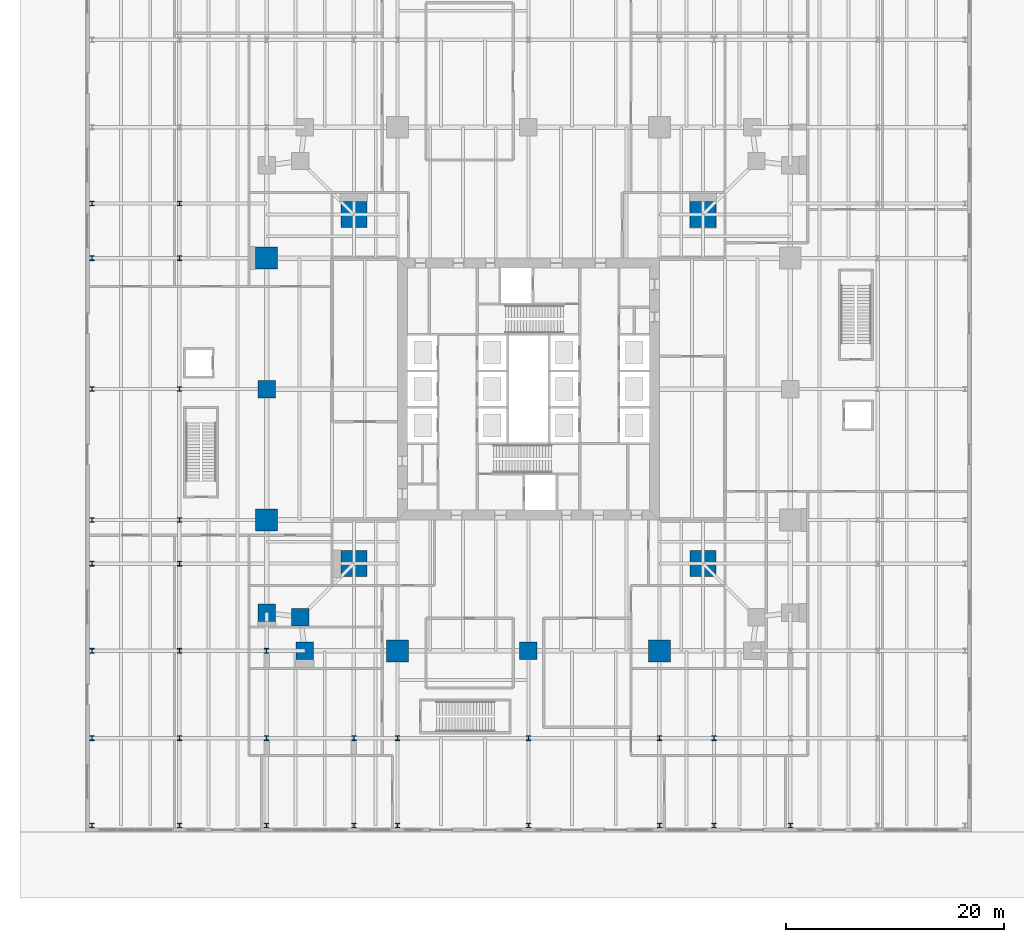
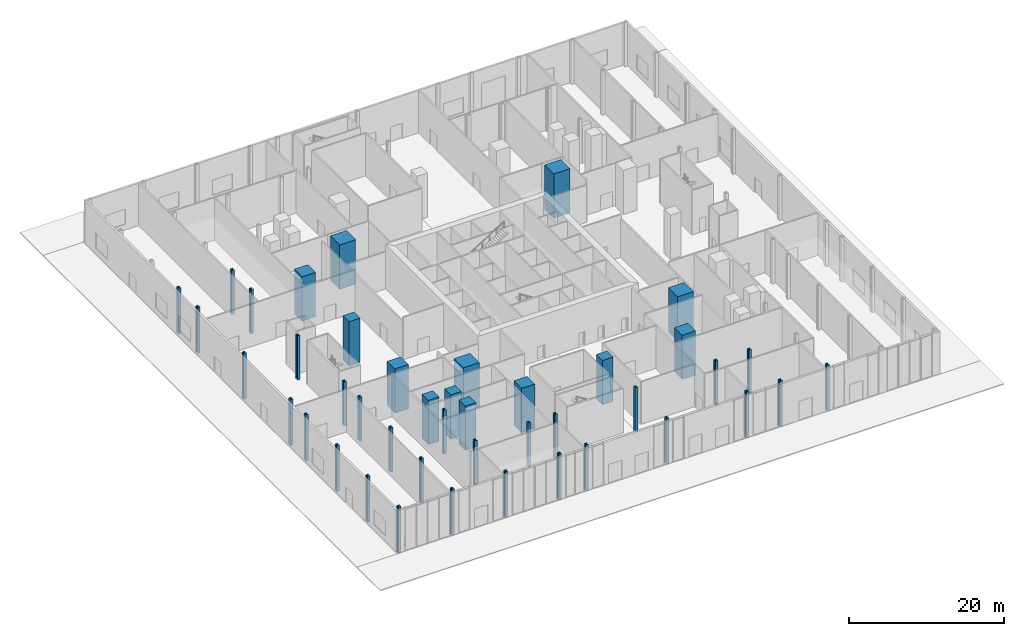
# One storey, part 1 of 20: 43 columns.
"""IFC4 building model written with IfcOpenShell, lengths in metres."""

import ifcopenshell
import ifcopenshell.guid

model = None  # the IFC model being written
_history = None  # IfcOwnerHistory: only IFC2X3 demands one
_inside = {}  # id of a spatial element -> (the spatial element, [elements in it])
_under = {}  # id of a project, library or spatial element -> (it, [spatial elements below it])
_declared = {}  # id of a project -> (the project, [libraries it declares])
_typed = {}  # id of a type object -> (the type object, [elements of that type])
_made_of = {}  # id of a material, layer set ... -> (it, [elements and type objects made of it])


def new_model(schema):
    """Start an empty IFC model of exactly this schema.

    Asked for "IFC4X3", IfcOpenShell would pick the latest addendum, in which some entities
    have other attributes; the version numbers below select the first issue.
    IFC2X3 requires an IfcOwnerHistory on every rooted entity: one is made here for all.
    """
    global model, _history
    if schema == "IFC4X3":
        model = ifcopenshell.file(schema_version=(4, 3, 0, 0))
    else:
        model = ifcopenshell.file(schema=schema)
    _inside.clear()
    _under.clear()
    _declared.clear()
    _typed.clear()
    _made_of.clear()
    _history = None
    if model.schema == "IFC2X3":
        org = make("IfcOrganization", Name="unknown")
        user = make(
            "IfcPersonAndOrganization",
            ThePerson=make("IfcPerson", FamilyName="unknown"),
            TheOrganization=org,
        )
        app = make(
            "IfcApplication",
            ApplicationDeveloper=org,
            Version="unknown",
            ApplicationFullName="unknown",
            ApplicationIdentifier="unknown",
        )
        _history = make(
            "IfcOwnerHistory",
            OwningUser=user,
            OwningApplication=app,
            ChangeAction="ADDED",
            CreationDate=0,
        )
    return model


def make(cls, **values):
    """One entity of the class cls with the attributes given. An attribute that is None is left unset."""
    return model.create_entity(
        cls, **{name: value for name, value in values.items() if value is not None}
    )


def rooted(cls, **values):
    """An entity with a GlobalId (a new one), such as an element, a storey or a relation."""
    return make(cls, GlobalId=ifcopenshell.guid.new(), OwnerHistory=_history, **values)


def si_unit(unit_type, name, prefix=None):
    """IfcSIUnit, for example si_unit("LENGTHUNIT", "METRE", prefix="MILLI")."""
    return make("IfcSIUnit", UnitType=unit_type, Prefix=prefix, Name=name)


def assignment(units):
    """IfcUnitAssignment: the units of a project."""
    return None if units is None else make("IfcUnitAssignment", Units=units)


def point(xyz):
    """IfcCartesianPoint."""
    return None if xyz is None else make("IfcCartesianPoint", Coordinates=xyz)


def direction(xyz):
    """IfcDirection."""
    return None if xyz is None else make("IfcDirection", DirectionRatios=xyz)


def frame(location, z_axis=None, x_axis=None):
    """IfcAxis2Placement3D, a coordinate frame: its origin and axes. An axis left out is left unset."""
    return make(
        "IfcAxis2Placement3D",
        Location=point(location),
        Axis=direction(z_axis),
        RefDirection=direction(x_axis),
    )


def frame_2d(location, x_axis=None):
    """IfcAxis2Placement2D, a coordinate frame in the plane: its origin and x axis."""
    return make(
        "IfcAxis2Placement2D", Location=point(location), RefDirection=direction(x_axis)
    )


def origin():
    """The frame at (0, 0, 0) with its axes left unset."""
    return frame((0.0, 0.0, 0.0))


def origin_2d():
    """The frame at (0, 0) in the plane with its x axis left unset."""
    return frame_2d((0.0, 0.0))


def place(relative_to, where):
    """IfcLocalPlacement: puts the frame where relative to a parent placement (None: the world)."""
    return make(
        "IfcLocalPlacement", PlacementRelTo=relative_to, RelativePlacement=where
    )


def context(
    kind, dimensions, precision=None, world=None, true_north=None, identifier=None
):
    """IfcGeometricRepresentationContext, for example the 3D "Model" context."""
    return make(
        "IfcGeometricRepresentationContext",
        ContextIdentifier=identifier,
        ContextType=kind,
        CoordinateSpaceDimension=dimensions,
        Precision=precision,
        WorldCoordinateSystem=world,
        TrueNorth=true_north,
    )


def subcontext(parent, identifier, kind, view, scale=None):
    """IfcGeometricRepresentationSubContext, for example "Body" below "Model"."""
    return make(
        "IfcGeometricRepresentationSubContext",
        ContextIdentifier=identifier,
        ContextType=kind,
        ParentContext=parent,
        TargetScale=scale,
        TargetView=view,
    )


def project(units=None, contexts=None):
    """IfcProject with its units and contexts."""
    return rooted(
        "IfcProject",
        Name="project",
        RepresentationContexts=contexts,
        UnitsInContext=assignment(units),
    )


def spatial(cls, under=None, at=None, **own):
    """A site, building, storey or space (cls), placed at a placement, below another one or the project."""
    s = rooted(cls, ObjectPlacement=at, **own)
    if under is not None:
        _under.setdefault(under.id(), (under, []))[1].append(s)
    return s


def profile(cls, at=None, kind="AREA", **sizes):
    """A parametric profile (cls). Its sizes go by their IFC names, for example OverallWidth=200.0."""
    return make(cls, ProfileType=kind, Position=at, **sizes)


def rectangle(**sizes):
    """IfcRectangleProfileDef."""
    return profile("IfcRectangleProfileDef", **sizes)


def i_section(**sizes):
    """IfcIShapeProfileDef."""
    return profile("IfcIShapeProfileDef", **sizes)


def extrude(swept, where, along, depth):
    """IfcExtrudedAreaSolid: the profile swept, set in the frame where, extruded along a direction by depth."""
    return make(
        "IfcExtrudedAreaSolid",
        SweptArea=swept,
        Position=where,
        ExtrudedDirection=direction(along),
        Depth=depth,
    )


def shape(context_of_items, identifier, shape_type, items):
    """IfcShapeRepresentation: the items that make up one representation, for example the "Body"."""
    return make(
        "IfcShapeRepresentation",
        ContextOfItems=context_of_items,
        RepresentationIdentifier=identifier,
        RepresentationType=shape_type,
        Items=items,
    )


def material(Name=None, Category=None):
    """IfcMaterial."""
    return make("IfcMaterial", Name=Name, Category=Category)


def material_profile(
    of_material, cross_section, Name=None, Category=None, Priority=None
):
    """IfcMaterialProfile: a cross section and its material."""
    return make(
        "IfcMaterialProfile",
        Name=Name,
        Material=of_material,
        Profile=cross_section,
        Priority=Priority,
        Category=Category,
    )


def profile_set(profiles, Name=None, composite=None):
    """IfcMaterialProfileSet."""
    return make(
        "IfcMaterialProfileSet",
        Name=Name,
        MaterialProfiles=profiles,
        CompositeProfile=composite,
    )


def made_of(thing, what):
    """Note that an element or type object is made of a material, layer set ...; save() writes the relation."""
    if what is not None:
        _made_of.setdefault(what.id(), (what, []))[1].append(thing)
    return thing


def type_object(cls, material=None, **own):
    """A type object (cls), such as IfcWallType, which elements share."""
    return made_of(rooted(cls, **own), material)


def element(
    cls,
    number,
    at=None,
    inside=None,
    cuts=None,
    type_object=None,
    material=None,
    context=None,
    identifier="Body",
    shape_type=None,
    held_by="IfcProductDefinitionShape",
    body=None,
    shapes=None,
    **own,
):
    """One element of the class cls, such as IfcWall. Its Tag is "e" and its number.

    at: its placement. inside: the storey or other place that contains it. cuts: it is an
    opening in that element (IfcRelVoidsElement). A single representation is given by context,
    identifier, shape_type and body (its items); several are given by shapes. held_by: the class
    of the entity that holds the representations. save() writes the other relations.
    """
    e = rooted(cls, Tag="e%d" % number, ObjectPlacement=at, **own)
    if body is not None:
        shapes = [shape(context, identifier, shape_type, body)]
    if shapes is not None:
        e.Representation = make(held_by, Representations=shapes)
    if inside is not None:
        _inside.setdefault(inside.id(), (inside, []))[1].append(e)
    if cuts is not None:
        rooted(
            "IfcRelVoidsElement", RelatingBuildingElement=cuts, RelatedOpeningElement=e
        )
    if type_object is not None:
        _typed.setdefault(type_object.id(), (type_object, []))[1].append(e)
    return made_of(e, material)


def aggregate(whole, parts):
    """IfcRelAggregates: a whole, such as a stair, and the parts it consists of."""
    return rooted("IfcRelAggregates", RelatingObject=whole, RelatedObjects=parts)


def save(model, path):
    """Write the relations noted so far, then the file.

    IfcRelAggregates (storeys below a building ...), IfcRelContainedInSpatialStructure (elements
    in a storey), IfcRelDefinesByType, IfcRelAssociatesMaterial and IfcRelDeclares: one each for
    every whole, place, type object, material and project.
    """
    for whole, parts in _under.values():
        aggregate(whole, parts)
    for where, things in _inside.values():
        rooted(
            "IfcRelContainedInSpatialStructure",
            RelatedElements=things,
            RelatingStructure=where,
        )
    for kind, things in _typed.values():
        rooted("IfcRelDefinesByType", RelatedObjects=things, RelatingType=kind)
    for what, things in _made_of.values():
        rooted("IfcRelAssociatesMaterial", RelatedObjects=things, RelatingMaterial=what)
    for by, libraries in _declared.values():
        rooted("IfcRelDeclares", RelatingContext=by, RelatedDefinitions=libraries)
    model.write(path)


model = new_model("IFC4")

# Units and contexts
model_context = context("Model", 3, precision=1e-05, world=origin(), true_north=direction((0.0, 1.0)))
body_context = subcontext(model_context, "Body", "Model", "MODEL_VIEW")
ifc_project = project(units=[si_unit("LENGTHUNIT", "METRE"), si_unit("AREAUNIT", "SQUARE_METRE"), si_unit("VOLUMEUNIT", "CUBIC_METRE"), si_unit("PLANEANGLEUNIT", "RADIAN"), si_unit("MASSUNIT", "GRAM", prefix="KILO")], contexts=[model_context])

# Site, building, storey
site_placement = place(None, origin())
site = spatial("IfcSite", under=ifc_project, at=site_placement, CompositionType="ELEMENT")
building_placement = place(site_placement, origin())
building = spatial("IfcBuilding", under=site, at=building_placement, Name="Fenwick Lantern Interchange", CompositionType="ELEMENT")
storey_placement = place(building_placement, origin())
storey = spatial("IfcBuildingStorey", under=building, at=storey_placement, Name="L00", CompositionType="ELEMENT", Elevation=0.0)

# Columns
ifc_material_1 = material(Name="Concrete f'c 70 MPa", Category="concrete")
ifc_material_profile_1 = material_profile(ifc_material_1, rectangle(XDim=2.39990234375, YDim=2.39990234375, at=origin_2d()), Name="RC2400X2400")
ifc_profile_set_1 = profile_set([ifc_material_profile_1], Name="Concrete f'c 70 MPa")
column_type_1 = type_object("IfcColumnType", Name="MEGA COLUMN RC2400X2400", PredefinedType="COLUMN", material=ifc_profile_set_1)
for number, where, z_axis, x_axis, name in (
    (1, (9.0, 9.0, 0.0), (0.0, 0.0, 1.0), (1.0, 0.0, 0.0), "L00/M1"),
    (2, (41.0, 9.0, 0.0), (0.0, 0.0, 1.0), (1.0, 0.0, 0.0), "L00/M2"),
    (3, (41.0, 41.0, 0.0), (0.0, 0.0, 1.0), (1.0, 0.0, 0.0), "L00/M3"),
    (4, (9.0, 41.0, 0.0), (0.0, 0.0, 1.0), (1.0, 0.0, 0.0), "L00/M4"),
):
    element("IfcColumn", number, at=place(storey_placement, frame(where, z_axis=z_axis, x_axis=x_axis)), inside=storey, type_object=column_type_1, Name=name, PredefinedType="COLUMN", context=body_context, shape_type="SweptSolid", body=[
        extrude(rectangle(XDim=2.39990234375, YDim=2.39990234375, at=origin_2d()), origin(), (0.0, 0.0, 1.0), 7.0),
    ])
ifc_material_profile_2 = material_profile(ifc_material_1, rectangle(XDim=1.60009765625, YDim=1.60009765625, at=origin_2d()), Name="RC1600X1600")
ifc_profile_set_2 = profile_set([ifc_material_profile_2], Name="Concrete f'c 70 MPa")
column_type_2 = type_object("IfcColumnType", Name="PERIMETER COLUMN RC1600X1600", PredefinedType="COLUMN", material=ifc_profile_set_2)
for number, where, z_axis, x_axis, name in (
    (5, (4.5, 1.0, 0.0), (0.0, 0.0, 1.0), (1.0, 0.0, 0.0), "L00/CS1"),
    (6, (25.0, 1.0, 0.0), (0.0, 0.0, 1.0), (1.0, 0.0, 0.0), "L00/CS3"),
    (7, (1.0, 25.0, 0.0), (0.0, 0.0, 1.0), (1.0, 0.0, 0.0), "L00/CW3"),
    (8, (1.0, 4.5, 0.0), (0.0, 0.0, 1.0), (1.0, 0.0, 0.0), "L00/CW5"),
    (9, (4.10009765625, 4.10009765625, 0.0), (0.0, 0.0, 1.0), (1.0, 0.0, 0.0), "L00/CWR"),
):
    element("IfcColumn", number, at=place(storey_placement, frame(where, z_axis=z_axis, x_axis=x_axis)), inside=storey, type_object=column_type_2, Name=name, PredefinedType="COLUMN", context=body_context, shape_type="SweptSolid", body=[
        extrude(rectangle(XDim=1.60009765625, YDim=1.60009765625, at=origin_2d()), origin(), (0.0, 0.0, 1.0), 7.0),
    ])
ifc_material_profile_3 = material_profile(ifc_material_1, rectangle(XDim=2.0, YDim=2.0, at=origin_2d()), Name="RC2000X2000")
ifc_profile_set_3 = profile_set([ifc_material_profile_3], Name="Concrete f'c 70 MPa")
column_type_3 = type_object("IfcColumnType", Name="PERIMETER COLUMN RC2000X2000", PredefinedType="COLUMN", material=ifc_profile_set_3)
for number, where, z_axis, x_axis, name in (
    (10, (13.0, 1.0, 0.0), (0.0, 0.0, 1.0), (1.0, 0.0, 0.0), "L00/CS2"),
    (11, (37.0, 1.0, 0.0), (0.0, 0.0, 1.0), (1.0, 0.0, 0.0), "L00/CS4"),
    (12, (1.0, 37.0, 0.0), (0.0, 0.0, 1.0), (1.0, 0.0, 0.0), "L00/CW2"),
    (13, (1.0, 13.0, 0.0), (0.0, 0.0, 1.0), (1.0, 0.0, 0.0), "L00/CW4"),
):
    element("IfcColumn", number, at=place(storey_placement, frame(where, z_axis=z_axis, x_axis=x_axis)), inside=storey, type_object=column_type_3, Name=name, PredefinedType="COLUMN", context=body_context, shape_type="SweptSolid", body=[
        extrude(rectangle(XDim=2.0, YDim=2.0, at=origin_2d()), origin(), (0.0, 0.0, 1.0), 7.0),
    ])
ifc_material_2 = material(Name="Steel ASTM A992 Grade 50", Category="steel")
ifc_material_profile_4 = material_profile(ifc_material_2, i_section(OverallWidth=0.41650390625, OverallDepth=0.444580078125, WebThickness=0.0390625, FlangeThickness=0.062744140625, at=origin_2d()), Name="W14X342")
ifc_profile_set_4 = profile_set([ifc_material_profile_4], Name="Steel ASTM A992 Grade 50")
column_type_4 = type_object("IfcColumnType", Name="PODIUM COLUMN W14X342", PredefinedType="COLUMN", material=ifc_profile_set_4)
for number, where, z_axis, x_axis, name in (
    (14, (-15.0, -15.0, -0.300048828125), (0.0, 0.0, 1.0), (1.0, 0.0, 0.0), "L00/PA1"),
    (15, (-15.0, -7.0, -0.300048828125), (0.0, 0.0, 1.0), (1.0, 0.0, 0.0), "L00/PB1"),
    (16, (-15.0, 1.0, -0.300048828125), (0.0, 0.0, 1.0), (1.0, 0.0, 0.0), "L00/PC1"),
    (17, (-15.0, 9.0, -0.300048828125), (0.0, 0.0, 1.0), (1.0, 0.0, 0.0), "L00/PD1"),
    (18, (-15.0, 13.0, -0.300048828125), (0.0, 0.0, 1.0), (1.0, 0.0, 0.0), "L00/PE1"),
    (19, (-15.0, 25.0, -0.300048828125), (0.0, 0.0, 1.0), (1.0, 0.0, 0.0), "L00/PF1"),
    (20, (-15.0, 37.0, -0.300048828125), (0.0, 0.0, 1.0), (1.0, 0.0, 0.0), "L00/PG1"),
    (21, (-15.0, 42.0, -0.300048828125), (0.0, 0.0, 1.0), (1.0, 0.0, 0.0), "L00/PH1"),
    (22, (-7.0, -15.0, -0.300048828125), (0.0, 0.0, 1.0), (1.0, 0.0, 0.0), "L00/PA2"),
):
    element("IfcColumn", number, at=place(storey_placement, frame(where, z_axis=z_axis, x_axis=x_axis)), inside=storey, type_object=column_type_4, Name=name, PredefinedType="COLUMN", context=body_context, shape_type="SweptSolid", body=[
        extrude(i_section(OverallWidth=0.41650390625, OverallDepth=0.444580078125, WebThickness=0.0390625, FlangeThickness=0.062744140625, at=origin_2d()), origin(), (0.0, 0.0, 1.0), 7.300048828125),
    ])
for number, where, z_axis, x_axis, name in (
    (23, (-7.0, -7.0, 0.0), (0.0, 0.0, 1.0), (1.0, 0.0, 0.0), "L00/PB2"),
    (24, (-7.0, 1.0, 0.0), (0.0, 0.0, 1.0), (1.0, 0.0, 0.0), "L00/PC2"),
    (25, (-7.0, 9.0, 0.0), (0.0, 0.0, 1.0), (1.0, 0.0, 0.0), "L00/PD2"),
    (26, (-7.0, 13.0, 0.0), (0.0, 0.0, 1.0), (1.0, 0.0, 0.0), "L00/PE2"),
    (27, (-7.0, 25.0, 0.0), (0.0, 0.0, 1.0), (1.0, 0.0, 0.0), "L00/PF2"),
    (28, (-7.0, 37.0, 0.0), (0.0, 0.0, 1.0), (1.0, 0.0, 0.0), "L00/PG2"),
    (29, (-7.0, 42.0, 0.0), (0.0, 0.0, 1.0), (1.0, 0.0, 0.0), "L00/PH2"),
):
    element("IfcColumn", number, at=place(storey_placement, frame(where, z_axis=z_axis, x_axis=x_axis)), inside=storey, type_object=column_type_4, Name=name, PredefinedType="COLUMN", context=body_context, shape_type="SweptSolid", body=[
        extrude(i_section(OverallWidth=0.41650390625, OverallDepth=0.444580078125, WebThickness=0.0390625, FlangeThickness=0.062744140625, at=origin_2d()), origin(), (0.0, 0.0, 1.0), 7.0),
    ])
column_1_placement = place(storey_placement, frame((1.0, -15.0, -0.300048828125), z_axis=(0.0, 0.0, 1.0), x_axis=(1.0, 0.0, 0.0)))
element("IfcColumn", 30, at=column_1_placement, inside=storey, type_object=column_type_4, Name="L00/PA3", PredefinedType="COLUMN", context=body_context, shape_type="SweptSolid", body=[
    extrude(i_section(OverallWidth=0.41650390625, OverallDepth=0.444580078125, WebThickness=0.0390625, FlangeThickness=0.062744140625, at=origin_2d()), origin(), (0.0, 0.0, 1.0), 7.300048828125),
])
for number, where, z_axis, x_axis, name in (
    (31, (1.0, -7.0, 0.0), (0.0, 0.0, 1.0), (1.0, 0.0, 0.0), "L00/PB3"),
    (32, (1.0, 1.0, 0.0), (0.0, 0.0, 1.0), (1.0, 0.0, 0.0), "L00/PC3"),
):
    element("IfcColumn", number, at=place(storey_placement, frame(where, z_axis=z_axis, x_axis=x_axis)), inside=storey, type_object=column_type_4, Name=name, PredefinedType="COLUMN", context=body_context, shape_type="SweptSolid", body=[
        extrude(i_section(OverallWidth=0.41650390625, OverallDepth=0.444580078125, WebThickness=0.0390625, FlangeThickness=0.062744140625, at=origin_2d()), origin(), (0.0, 0.0, 1.0), 7.0),
    ])
column_2_placement = place(storey_placement, frame((9.0, -15.0, -0.300048828125), z_axis=(0.0, 0.0, 1.0), x_axis=(1.0, 0.0, 0.0)))
element("IfcColumn", 33, at=column_2_placement, inside=storey, type_object=column_type_4, Name="L00/PA4", PredefinedType="COLUMN", context=body_context, shape_type="SweptSolid", body=[
    extrude(i_section(OverallWidth=0.41650390625, OverallDepth=0.444580078125, WebThickness=0.0390625, FlangeThickness=0.062744140625, at=origin_2d()), origin(), (0.0, 0.0, 1.0), 7.300048828125),
])
column_3_placement = place(storey_placement, frame((9.0, -7.0, 0.0), z_axis=(0.0, 0.0, 1.0), x_axis=(1.0, 0.0, 0.0)))
element("IfcColumn", 34, at=column_3_placement, inside=storey, type_object=column_type_4, Name="L00/PB4", PredefinedType="COLUMN", context=body_context, shape_type="SweptSolid", body=[
    extrude(i_section(OverallWidth=0.41650390625, OverallDepth=0.444580078125, WebThickness=0.0390625, FlangeThickness=0.062744140625, at=origin_2d()), origin(), (0.0, 0.0, 1.0), 7.0),
])
column_4_placement = place(storey_placement, frame((13.0, -15.0, -0.300048828125), z_axis=(0.0, 0.0, 1.0), x_axis=(1.0, 0.0, 0.0)))
element("IfcColumn", 35, at=column_4_placement, inside=storey, type_object=column_type_4, Name="L00/PA5", PredefinedType="COLUMN", context=body_context, shape_type="SweptSolid", body=[
    extrude(i_section(OverallWidth=0.41650390625, OverallDepth=0.444580078125, WebThickness=0.0390625, FlangeThickness=0.062744140625, at=origin_2d()), origin(), (0.0, 0.0, 1.0), 7.300048828125),
])
column_5_placement = place(storey_placement, frame((13.0, -7.0, 0.0), z_axis=(0.0, 0.0, 1.0), x_axis=(1.0, 0.0, 0.0)))
element("IfcColumn", 36, at=column_5_placement, inside=storey, type_object=column_type_4, Name="L00/PB5", PredefinedType="COLUMN", context=body_context, shape_type="SweptSolid", body=[
    extrude(i_section(OverallWidth=0.41650390625, OverallDepth=0.444580078125, WebThickness=0.0390625, FlangeThickness=0.062744140625, at=origin_2d()), origin(), (0.0, 0.0, 1.0), 7.0),
])
column_6_placement = place(storey_placement, frame((25.0, -15.0, -0.300048828125), z_axis=(0.0, 0.0, 1.0), x_axis=(1.0, 0.0, 0.0)))
element("IfcColumn", 37, at=column_6_placement, inside=storey, type_object=column_type_4, Name="L00/PA6", PredefinedType="COLUMN", context=body_context, shape_type="SweptSolid", body=[
    extrude(i_section(OverallWidth=0.41650390625, OverallDepth=0.444580078125, WebThickness=0.0390625, FlangeThickness=0.062744140625, at=origin_2d()), origin(), (0.0, 0.0, 1.0), 7.300048828125),
])
column_7_placement = place(storey_placement, frame((25.0, -7.0, 0.0), z_axis=(0.0, 0.0, 1.0), x_axis=(1.0, 0.0, 0.0)))
element("IfcColumn", 38, at=column_7_placement, inside=storey, type_object=column_type_4, Name="L00/PB6", PredefinedType="COLUMN", context=body_context, shape_type="SweptSolid", body=[
    extrude(i_section(OverallWidth=0.41650390625, OverallDepth=0.444580078125, WebThickness=0.0390625, FlangeThickness=0.062744140625, at=origin_2d()), origin(), (0.0, 0.0, 1.0), 7.0),
])
column_8_placement = place(storey_placement, frame((37.0, -15.0, -0.300048828125), z_axis=(0.0, 0.0, 1.0), x_axis=(1.0, 0.0, 0.0)))
element("IfcColumn", 39, at=column_8_placement, inside=storey, type_object=column_type_4, Name="L00/PA7", PredefinedType="COLUMN", context=body_context, shape_type="SweptSolid", body=[
    extrude(i_section(OverallWidth=0.41650390625, OverallDepth=0.444580078125, WebThickness=0.0390625, FlangeThickness=0.062744140625, at=origin_2d()), origin(), (0.0, 0.0, 1.0), 7.300048828125),
])
column_9_placement = place(storey_placement, frame((37.0, -7.0, 0.0), z_axis=(0.0, 0.0, 1.0), x_axis=(1.0, 0.0, 0.0)))
element("IfcColumn", 40, at=column_9_placement, inside=storey, type_object=column_type_4, Name="L00/PB7", PredefinedType="COLUMN", context=body_context, shape_type="SweptSolid", body=[
    extrude(i_section(OverallWidth=0.41650390625, OverallDepth=0.444580078125, WebThickness=0.0390625, FlangeThickness=0.062744140625, at=origin_2d()), origin(), (0.0, 0.0, 1.0), 7.0),
])
column_10_placement = place(storey_placement, frame((42.0, -15.0, -0.300048828125), z_axis=(0.0, 0.0, 1.0), x_axis=(1.0, 0.0, 0.0)))
element("IfcColumn", 41, at=column_10_placement, inside=storey, type_object=column_type_4, Name="L00/PA8", PredefinedType="COLUMN", context=body_context, shape_type="SweptSolid", body=[
    extrude(i_section(OverallWidth=0.41650390625, OverallDepth=0.444580078125, WebThickness=0.0390625, FlangeThickness=0.062744140625, at=origin_2d()), origin(), (0.0, 0.0, 1.0), 7.300048828125),
])
column_11_placement = place(storey_placement, frame((42.0, -7.0, 0.0), z_axis=(0.0, 0.0, 1.0), x_axis=(1.0, 0.0, 0.0)))
element("IfcColumn", 42, at=column_11_placement, inside=storey, type_object=column_type_4, Name="L00/PB8", PredefinedType="COLUMN", context=body_context, shape_type="SweptSolid", body=[
    extrude(i_section(OverallWidth=0.41650390625, OverallDepth=0.444580078125, WebThickness=0.0390625, FlangeThickness=0.062744140625, at=origin_2d()), origin(), (0.0, 0.0, 1.0), 7.0),
])
column_12_placement = place(storey_placement, frame((49.0, -15.0, -0.300048828125), z_axis=(0.0, 0.0, 1.0), x_axis=(1.0, 0.0, 0.0)))
element("IfcColumn", 43, at=column_12_placement, inside=storey, type_object=column_type_4, Name="L00/PA9", PredefinedType="COLUMN", context=body_context, shape_type="SweptSolid", body=[
    extrude(i_section(OverallWidth=0.41650390625, OverallDepth=0.444580078125, WebThickness=0.0390625, FlangeThickness=0.062744140625, at=origin_2d()), origin(), (0.0, 0.0, 1.0), 7.300048828125),
])

save(model, "model.ifc")
